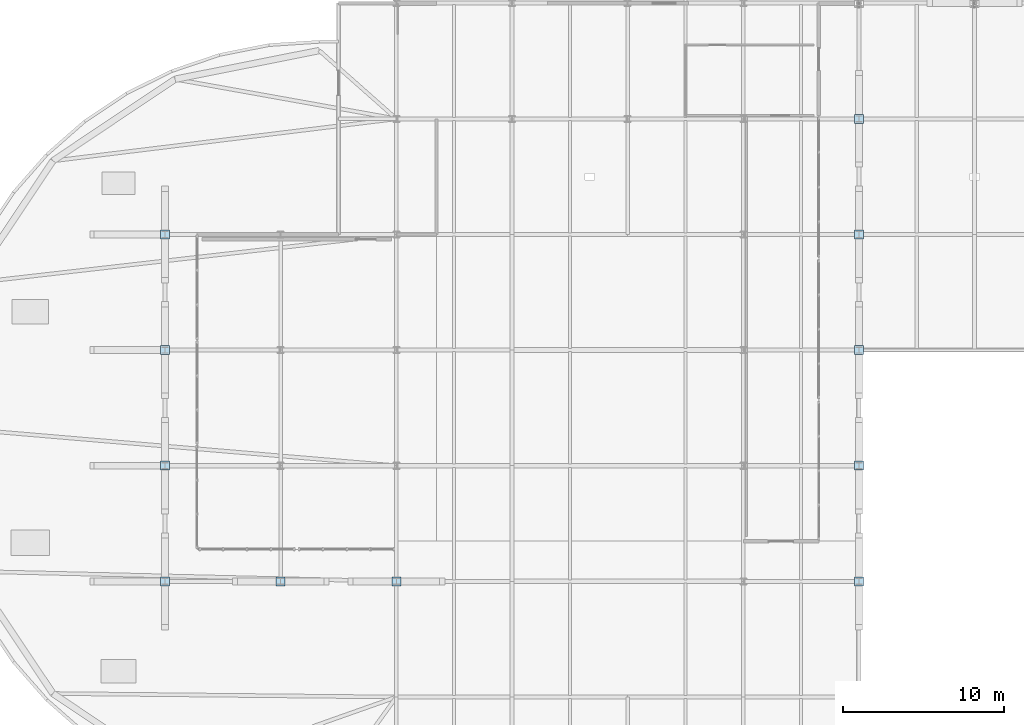
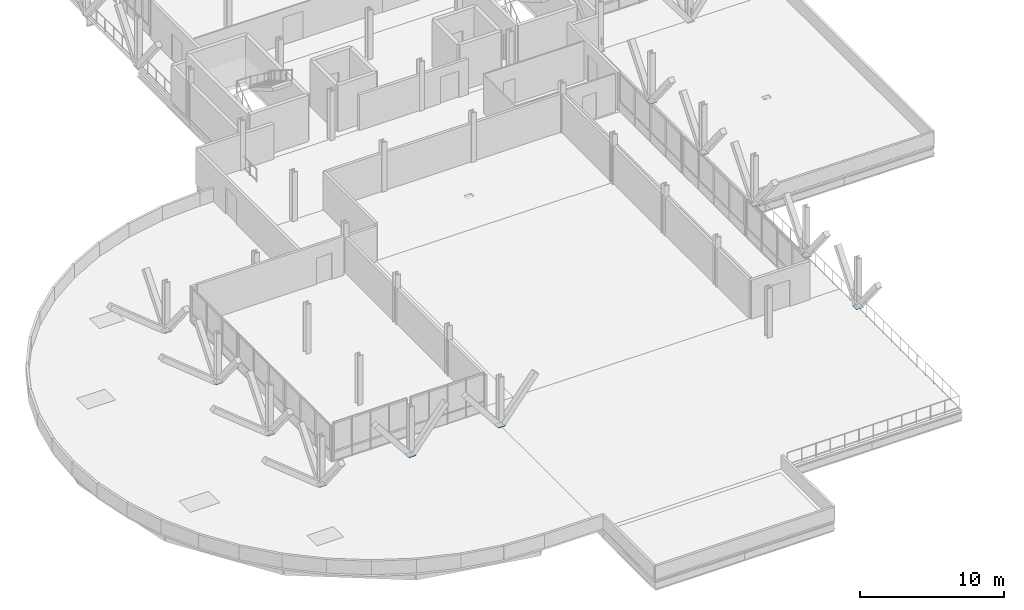
# One storey, part 84 of 102: 11 plates.
"""IFC4 building model written with IfcOpenShell, lengths in metres."""

from ifc_helpers import new_model, si_unit, direction, frame, origin, origin_2d, place, context, subcontext, project, spatial, rectangle, extrude, material, layer, layer_set, type_object, element, save


model = new_model("IFC4")

# Units and contexts
model_context = context("Model", 3, precision=1e-05, world=origin(), true_north=direction((0.0, 1.0)))
body_context = subcontext(model_context, "Body", "Model", "MODEL_VIEW")
ifc_project = project(units=[si_unit("LENGTHUNIT", "METRE"), si_unit("AREAUNIT", "SQUARE_METRE"), si_unit("VOLUMEUNIT", "CUBIC_METRE"), si_unit("PLANEANGLEUNIT", "RADIAN"), si_unit("MASSUNIT", "GRAM", prefix="KILO")], contexts=[model_context])

# Site, building, storey
site_placement = place(None, origin())
site = spatial("IfcSite", under=ifc_project, at=site_placement, CompositionType="ELEMENT")
building_placement = place(site_placement, origin())
building = spatial("IfcBuilding", under=site, at=building_placement, Name="Yarey Park Central Fire Station", CompositionType="ELEMENT")
storey_placement = place(building_placement, frame((0.0, 0.0, 6.0)))
storey = spatial("IfcBuildingStorey", under=building, at=storey_placement, Name="L02", CompositionType="ELEMENT", Elevation=6.0)

# Plates
ifc_material = material(Name="Steel ASTM A572 Gr. 50", Category="steel")
ifc_layer = layer(ifc_material, 0.02001953125)
ifc_layer_set = layer_set([ifc_layer], Name="Steel ASTM A572 Gr. 50")
plate_type = type_object("IfcPlateType", Name="STR_PLT_CAP1", PredefinedType="USERDEFINED", material=ifc_layer_set)
for number, where, z_axis, x_axis, name in (
    (1, (14.39990234375, 21.60009765625, 0.0), (0.0, 0.0, 1.0), (1.0, 0.0, 0.0), "CAP_PLT_RGS_06"),
    (2, (14.39990234375, 28.800048828125, 0.0), (0.0, 0.0, 1.0), (1.0, 0.0, 0.0), "CAP_PLT_RGS_07"),
    (3, (14.39990234375, 36.0, 0.0), (0.0, 0.0, 1.0), (1.0, 0.0, 0.0), "CAP_PLT_RGS_08"),
    (4, (14.39990234375, 43.199951171875, 0.0), (0.0, 0.0, 1.0), (1.0, 0.0, 0.0), "CAP_PLT_RGS_09"),
    (5, (21.60009765625, 21.60009765625, 0.0), (0.0, 0.0, 1.0), (1.0, 0.0, 0.0), "CAP_PLT_RGS_12"),
    (6, (28.800048828125, 21.60009765625, 0.0), (0.0, 0.0, 1.0), (1.0, 0.0, 0.0), "CAP_PLT_RGS_13"),
    (7, (57.60009765625, 21.60009765625, 0.0), (0.0, 0.0, 1.0), (1.0, 0.0, 0.0), "CAP_PLT_RGS_14"),
    (8, (57.60009765625, 28.800048828125, 0.0), (0.0, 0.0, 1.0), (1.0, 0.0, 0.0), "CAP_PLT_RGS_15"),
    (9, (57.60009765625, 36.0, 0.0), (0.0, 0.0, 1.0), (1.0, 0.0, 0.0), "CAP_PLT_RGS_16"),
    (10, (57.60009765625, 43.199951171875, 0.0), (0.0, 0.0, 1.0), (1.0, 0.0, 0.0), "CAP_PLT_RGS_17"),
    (11, (57.60009765625, 50.39990234375, 0.0), (0.0, 0.0, 1.0), (1.0, 0.0, 0.0), "CAP_PLT_RGS_18"),
):
    element("IfcPlate", number, at=place(storey_placement, frame(where, z_axis=z_axis, x_axis=x_axis)), inside=storey, type_object=plate_type, Name=name, ObjectType="GUSSET_PLATE", PredefinedType="USERDEFINED", context=body_context, shape_type="SweptSolid", body=[
        extrude(rectangle(XDim=0.56005859375, YDim=0.56005859375, at=origin_2d()), origin(), (0.0, 0.0, 1.0), 0.02001953125),
    ])

save(model, "model.ifc")
